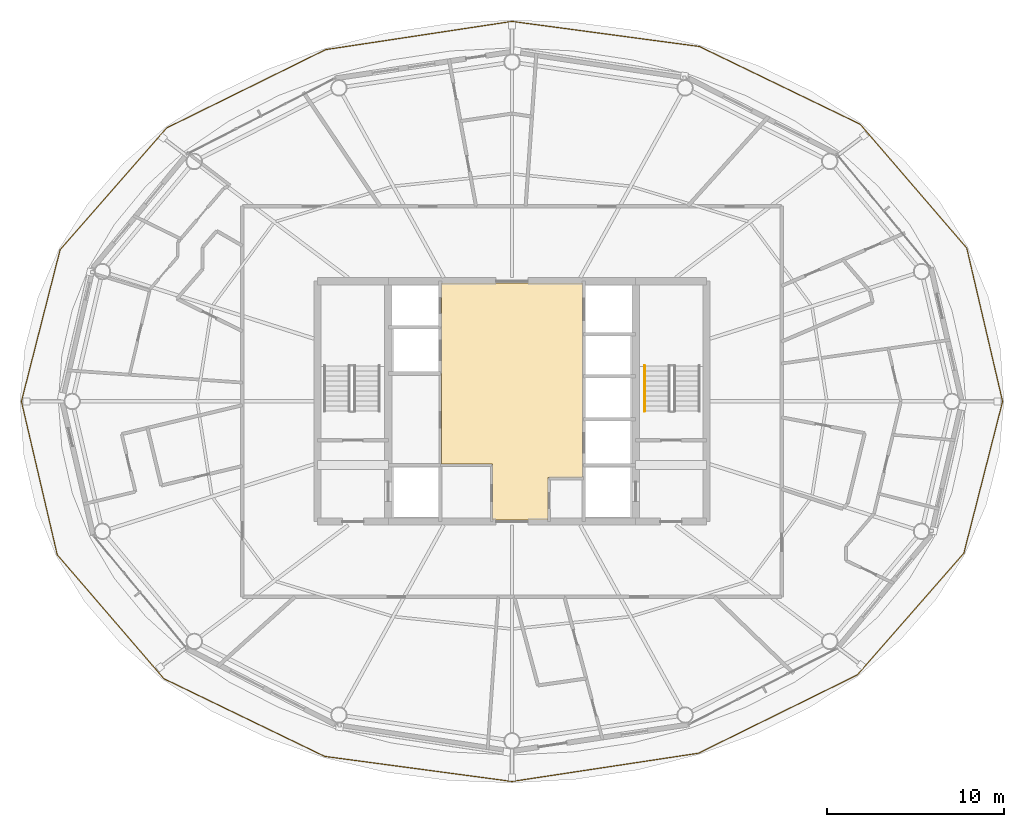
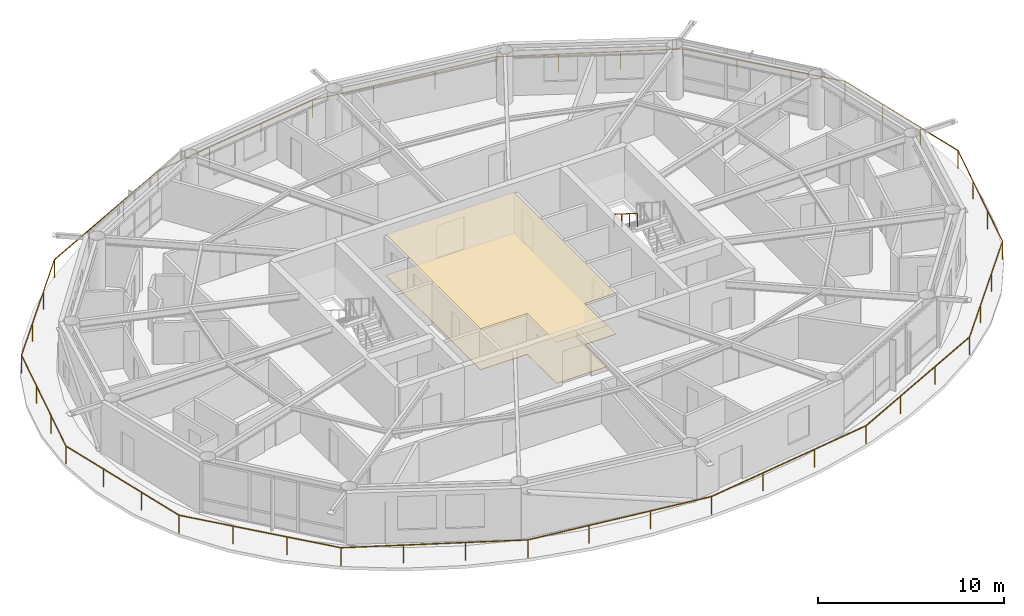
# One storey, part 21 of 22: 2 coverings, 2 railings.
"""IFC4 building model written with IfcOpenShell, lengths in metres."""

from ifc_helpers import new_model, si_unit, direction, frame, origin, origin_2d, place, context, subcontext, project, spatial, polyline, rectangle, outline, extrude, material, layer, layer_set, type_object, element, save


model = new_model("IFC4")

# Units and contexts
model_context = context("Model", 3, precision=1e-05, world=origin(), true_north=direction((0.0, 1.0)))
body_context = subcontext(model_context, "Body", "Model", "MODEL_VIEW")
ifc_project = project(units=[si_unit("LENGTHUNIT", "METRE"), si_unit("AREAUNIT", "SQUARE_METRE"), si_unit("VOLUMEUNIT", "CUBIC_METRE"), si_unit("PLANEANGLEUNIT", "RADIAN"), si_unit("MASSUNIT", "GRAM", prefix="KILO")], contexts=[model_context])

# Site, building, storey
site_placement = place(None, origin())
site = spatial("IfcSite", under=ifc_project, at=site_placement, CompositionType="ELEMENT")
building_placement = place(site_placement, origin())
building = spatial("IfcBuilding", under=site, at=building_placement, Name="Sarneth Arch Tower", CompositionType="ELEMENT")
storey_placement = place(building_placement, frame((0.0, 0.0, 210.0)))
storey = spatial("IfcBuildingStorey", under=building, at=storey_placement, Name="L53", CompositionType="ELEMENT", Elevation=210.0)

# Coverings
ifc_material_1 = material(Name="Perforated acoustic gypsum ceiling board")
ifc_layer_1 = layer(ifc_material_1, 0.02490234375)
ifc_layer_set_1 = layer_set([ifc_layer_1], Name="Perforated acoustic gypsum ceiling board")
covering_type_1 = type_object("IfcCoveringType", Name="COV-CEIL-GYP", PredefinedType="CEILING", material=ifc_layer_set_1)
covering_1_placement = place(storey_placement, frame((0.0, 0.0, 2.68994140625)))
element("IfcCovering", 1, at=covering_1_placement, inside=storey, type_object=covering_type_1, Name="L53 Lift lobby acoustic ceiling", PredefinedType="CEILING", context=body_context, shape_type="SweptSolid", body=[
    extrude(outline(polyline([(52.0, 37.699951171875), (50.050048828125, 37.699951171875), (50.050048828125, 35.300048828125), (46.89990234375, 35.300048828125), (46.89990234375, 38.449951171875), (44.0, 38.449951171875), (44.0, 48.699951171875), (52.0, 48.699951171875), (52.0, 37.699951171875)])), origin(), (0.0, 0.0, 1.0), 0.030029296875),
])
ifc_material_2 = material(Name="Honed granite stone flooring", Category="masonry")
ifc_layer_2 = layer(ifc_material_2, 0.030029296875)
ifc_layer_set_2 = layer_set([ifc_layer_2], Name="Honed granite stone flooring")
covering_type_2 = type_object("IfcCoveringType", Name="COV-FLR-STONE", PredefinedType="FLOORING", material=ifc_layer_set_2)
covering_2_placement = place(storey_placement, origin())
element("IfcCovering", 2, at=covering_2_placement, inside=storey, type_object=covering_type_2, Name="L53 Lift lobby granite flooring", PredefinedType="FLOORING", context=body_context, shape_type="SweptSolid", body=[
    extrude(outline(polyline([(52.0, 37.699951171875), (50.050048828125, 37.699951171875), (50.050048828125, 35.300048828125), (46.89990234375, 35.300048828125), (46.89990234375, 38.449951171875), (44.0, 38.449951171875), (44.0, 48.699951171875), (52.0, 48.699951171875), (52.0, 37.699951171875)])), origin(), (0.0, 0.0, 1.0), 0.030029296875),
])

# Railings
ifc_material_3 = material(Name="Laminated structural glass infill with Stainless Steel 316 top rail and posts", Category="steel")
railing_type_1 = type_object("IfcRailingType", Name="RAIL-BALC-1200", PredefinedType="BALUSTRADE", material=ifc_material_3)
railing_1_placement = place(storey_placement, frame((75.752685546875, 42.0, 0.0)))
element("IfcRailing", 3, at=railing_1_placement, inside=storey, type_object=railing_type_1, Name="L53 Helical balcony glass balustrade", PredefinedType="BALUSTRADE", context=body_context, shape_type="SweptSolid", body=[
    extrude(rectangle(XDim=0.048095703125, YDim=0.048095703125, at=origin_2d()), frame((0.0, 0.0, 1.17578125), z_axis=(-0.227562221153, 0.973763541885, 0.0), x_axis=(-0.973763541885, -0.227562221153, 0.0)), (0.0, 0.0, 1.0), 8.91015625),
    extrude(rectangle(XDim=0.048095703125, YDim=0.048095703125, at=origin_2d()), frame((-2.027587890625, 8.67626953125, 1.17578125), z_axis=(-0.652319204674, 0.757944361555, 0.0), x_axis=(-0.757944361555, -0.652319204674, 0.0)), (0.0, 0.0, 1.0), 9.2431640625),
    extrude(rectangle(XDim=0.048095703125, YDim=0.048095703125, at=origin_2d()), frame((-8.05712890625, 15.68212890625, 1.17578125), z_axis=(-0.900334908719, 0.43519771615, 0.0), x_axis=(-0.43519771615, -0.900334908719, 0.0)), (0.0, 0.0, 1.0), 10.103271484375),
    extrude(rectangle(XDim=0.048095703125, YDim=0.048095703125, at=origin_2d()), frame((-17.153564453125, 20.0791015625, 1.17578125), z_axis=(-0.991157574978, 0.132690095955, 0.0), x_axis=(-0.132690095955, -0.991157574978, 0.0)), (0.0, 0.0, 1.0), 10.693603515625),
    extrude(rectangle(XDim=0.048095703125, YDim=0.048095703125, at=origin_2d()), frame((-27.752685546875, 21.498046875, 1.17578125), z_axis=(-0.988719511519, -0.149778928896, 0.0), x_axis=(0.149778928896, -0.988719511519, 0.0)), (0.0, 0.0, 1.0), 10.66357421875),
    extrude(rectangle(XDim=0.048095703125, YDim=0.048095703125, at=origin_2d()), frame((-38.2958984375, 19.90087890625, 1.17578125), z_axis=(-0.897075490453, -0.441877318301, 0.0), x_axis=(0.441877318301, -0.897075490453, 0.0)), (0.0, 0.0, 1.0), 10.025146484375),
    extrude(rectangle(XDim=0.048095703125, YDim=0.048095703125, at=origin_2d()), frame((-47.289306640625, 15.470947265625, 1.17578125), z_axis=(-0.658527275998, -0.752556859491, 0.0), x_axis=(0.752556859491, -0.658527275998, 0.0)), (0.0, 0.0, 1.0), 9.14990234375),
    extrude(rectangle(XDim=0.048095703125, YDim=0.048095703125, at=origin_2d()), frame((-53.314697265625, 8.585205078125, 1.17578125), z_axis=(-0.247246196518, -0.96895269147, 0.0), x_axis=(0.96895269147, -0.247246196518, 0.0)), (0.0, 0.0, 1.0), 8.8603515625),
    extrude(rectangle(XDim=0.048095703125, YDim=0.048095703125, at=origin_2d()), frame((-55.50537109375, 0.0, 1.17578125), z_axis=(0.227562221153, -0.973763541885, 0.0), x_axis=(0.973763541885, 0.227562221153, 0.0)), (0.0, 0.0, 1.0), 8.91015625),
    extrude(rectangle(XDim=0.048095703125, YDim=0.048095703125, at=origin_2d()), frame((-53.477783203125, -8.67626953125, 1.17578125), z_axis=(0.652319204674, -0.757944361555, 0.0), x_axis=(0.757944361555, 0.652319204674, 0.0)), (0.0, 0.0, 1.0), 9.2431640625),
    extrude(rectangle(XDim=0.048095703125, YDim=0.048095703125, at=origin_2d()), frame((-47.4482421875, -15.68212890625, 1.17578125), z_axis=(0.900334908719, -0.43519771615, 0.0), x_axis=(0.43519771615, 0.900334908719, 0.0)), (0.0, 0.0, 1.0), 10.103271484375),
    extrude(rectangle(XDim=0.048095703125, YDim=0.048095703125, at=origin_2d()), frame((-38.351806640625, -20.0791015625, 1.17578125), z_axis=(0.991157574978, -0.132690095955, 0.0), x_axis=(0.132690095955, 0.991157574978, 0.0)), (0.0, 0.0, 1.0), 10.693603515625),
    extrude(rectangle(XDim=0.048095703125, YDim=0.048095703125, at=origin_2d()), frame((-27.752685546875, -21.498046875, 1.17578125), z_axis=(0.988719511519, 0.149778928896, 0.0), x_axis=(-0.149778928896, 0.988719511519, 0.0)), (0.0, 0.0, 1.0), 10.66357421875),
    extrude(rectangle(XDim=0.048095703125, YDim=0.048095703125, at=origin_2d()), frame((-17.20947265625, -19.90087890625, 1.17578125), z_axis=(0.897075490453, 0.441877318301, 0.0), x_axis=(-0.441877318301, 0.897075490453, 0.0)), (0.0, 0.0, 1.0), 10.025146484375),
    extrude(rectangle(XDim=0.048095703125, YDim=0.048095703125, at=origin_2d()), frame((-8.216064453125, -15.470947265625, 1.17578125), z_axis=(0.658527275998, 0.752556859491, 0.0), x_axis=(-0.752556859491, 0.658527275998, 0.0)), (0.0, 0.0, 1.0), 9.14990234375),
    extrude(rectangle(XDim=0.048095703125, YDim=0.048095703125, at=origin_2d()), frame((-2.190673828125, -8.585205078125, 1.17578125), z_axis=(0.247246196518, 0.96895269147, 0.0), x_axis=(-0.96895269147, 0.247246196518, 0.0)), (0.0, 0.0, 1.0), 8.8603515625),
    extrude(rectangle(XDim=0.0419921875, YDim=0.0419921875, at=origin_2d()), origin(), (0.0, 0.0, 1.0), 1.15185546875),
    extrude(rectangle(XDim=0.0419921875, YDim=0.0419921875, at=origin_2d()), frame((-0.67578125, 2.89208984375, 0.0)), (0.0, 0.0, 1.0), 1.15185546875),
    extrude(rectangle(XDim=0.0419921875, YDim=0.0419921875, at=origin_2d()), frame((-1.351806640625, 5.7841796875, 0.0)), (0.0, 0.0, 1.0), 1.15185546875),
    extrude(rectangle(XDim=0.0419921875, YDim=0.0419921875, at=origin_2d()), frame((-2.027587890625, 8.67626953125, 0.0)), (0.0, 0.0, 1.0), 1.15185546875),
    extrude(rectangle(XDim=0.0419921875, YDim=0.0419921875, at=origin_2d()), frame((-4.037353515625, 11.011474609375, 0.0)), (0.0, 0.0, 1.0), 1.15185546875),
    extrude(rectangle(XDim=0.0419921875, YDim=0.0419921875, at=origin_2d()), frame((-6.04736328125, 13.346923828125, 0.0)), (0.0, 0.0, 1.0), 1.15185546875),
    extrude(rectangle(XDim=0.0419921875, YDim=0.0419921875, at=origin_2d()), frame((-8.05712890625, 15.68212890625, 0.0)), (0.0, 0.0, 1.0), 1.15185546875),
    extrude(rectangle(XDim=0.0419921875, YDim=0.0419921875, at=origin_2d()), frame((-11.08935546875, 17.147705078125, 0.0)), (0.0, 0.0, 1.0), 1.15185546875),
    extrude(rectangle(XDim=0.0419921875, YDim=0.0419921875, at=origin_2d()), frame((-14.121337890625, 18.613525390625, 0.0)), (0.0, 0.0, 1.0), 1.15185546875),
    extrude(rectangle(XDim=0.0419921875, YDim=0.0419921875, at=origin_2d()), frame((-17.153564453125, 20.0791015625, 0.0)), (0.0, 0.0, 1.0), 1.15185546875),
    extrude(rectangle(XDim=0.0419921875, YDim=0.0419921875, at=origin_2d()), frame((-20.6865234375, 20.552001953125, 0.0)), (0.0, 0.0, 1.0), 1.15185546875),
    extrude(rectangle(XDim=0.0419921875, YDim=0.0419921875, at=origin_2d()), frame((-24.2197265625, 21.025146484375, 0.0)), (0.0, 0.0, 1.0), 1.15185546875),
    extrude(rectangle(XDim=0.0419921875, YDim=0.0419921875, at=origin_2d()), frame((-27.752685546875, 21.498046875, 0.0)), (0.0, 0.0, 1.0), 1.15185546875),
    extrude(rectangle(XDim=0.0419921875, YDim=0.0419921875, at=origin_2d()), frame((-31.26708984375, 20.965576171875, 0.0)), (0.0, 0.0, 1.0), 1.15185546875),
    extrude(rectangle(XDim=0.0419921875, YDim=0.0419921875, at=origin_2d()), frame((-34.781494140625, 20.433349609375, 0.0)), (0.0, 0.0, 1.0), 1.15185546875),
    extrude(rectangle(XDim=0.0419921875, YDim=0.0419921875, at=origin_2d()), frame((-38.2958984375, 19.90087890625, 0.0)), (0.0, 0.0, 1.0), 1.15185546875),
    extrude(rectangle(XDim=0.0419921875, YDim=0.0419921875, at=origin_2d()), frame((-41.293701171875, 18.42431640625, 0.0)), (0.0, 0.0, 1.0), 1.15185546875),
    extrude(rectangle(XDim=0.0419921875, YDim=0.0419921875, at=origin_2d()), frame((-44.29150390625, 16.947509765625, 0.0)), (0.0, 0.0, 1.0), 1.15185546875),
    extrude(rectangle(XDim=0.0419921875, YDim=0.0419921875, at=origin_2d()), frame((-47.289306640625, 15.470947265625, 0.0)), (0.0, 0.0, 1.0), 1.15185546875),
    extrude(rectangle(XDim=0.0419921875, YDim=0.0419921875, at=origin_2d()), frame((-49.2978515625, 13.17578125, 0.0)), (0.0, 0.0, 1.0), 1.15185546875),
    extrude(rectangle(XDim=0.0419921875, YDim=0.0419921875, at=origin_2d()), frame((-51.30615234375, 10.88037109375, 0.0)), (0.0, 0.0, 1.0), 1.15185546875),
    extrude(rectangle(XDim=0.0419921875, YDim=0.0419921875, at=origin_2d()), frame((-53.314697265625, 8.585205078125, 0.0)), (0.0, 0.0, 1.0), 1.15185546875),
    extrude(rectangle(XDim=0.0419921875, YDim=0.0419921875, at=origin_2d()), frame((-54.044921875, 5.723388671875, 0.0)), (0.0, 0.0, 1.0), 1.15185546875),
    extrude(rectangle(XDim=0.0419921875, YDim=0.0419921875, at=origin_2d()), frame((-54.775146484375, 2.86181640625, 0.0)), (0.0, 0.0, 1.0), 1.15185546875),
    extrude(rectangle(XDim=0.0419921875, YDim=0.0419921875, at=origin_2d()), frame((-55.50537109375, 0.0, 0.0)), (0.0, 0.0, 1.0), 1.15185546875),
    extrude(rectangle(XDim=0.0419921875, YDim=0.0419921875, at=origin_2d()), frame((-54.82958984375, -2.89208984375, 0.0)), (0.0, 0.0, 1.0), 1.15185546875),
    extrude(rectangle(XDim=0.0419921875, YDim=0.0419921875, at=origin_2d()), frame((-54.153564453125, -5.7841796875, 0.0)), (0.0, 0.0, 1.0), 1.15185546875),
    extrude(rectangle(XDim=0.0419921875, YDim=0.0419921875, at=origin_2d()), frame((-53.477783203125, -8.67626953125, 0.0)), (0.0, 0.0, 1.0), 1.15185546875),
    extrude(rectangle(XDim=0.0419921875, YDim=0.0419921875, at=origin_2d()), frame((-51.468017578125, -11.011474609375, 0.0)), (0.0, 0.0, 1.0), 1.15185546875),
    extrude(rectangle(XDim=0.0419921875, YDim=0.0419921875, at=origin_2d()), frame((-49.4580078125, -13.346923828125, 0.0)), (0.0, 0.0, 1.0), 1.15185546875),
    extrude(rectangle(XDim=0.0419921875, YDim=0.0419921875, at=origin_2d()), frame((-47.4482421875, -15.68212890625, 0.0)), (0.0, 0.0, 1.0), 1.15185546875),
    extrude(rectangle(XDim=0.0419921875, YDim=0.0419921875, at=origin_2d()), frame((-44.416015625, -17.147705078125, 0.0)), (0.0, 0.0, 1.0), 1.15185546875),
    extrude(rectangle(XDim=0.0419921875, YDim=0.0419921875, at=origin_2d()), frame((-41.384033203125, -18.613525390625, 0.0)), (0.0, 0.0, 1.0), 1.15185546875),
    extrude(rectangle(XDim=0.0419921875, YDim=0.0419921875, at=origin_2d()), frame((-38.351806640625, -20.0791015625, 0.0)), (0.0, 0.0, 1.0), 1.15185546875),
    extrude(rectangle(XDim=0.0419921875, YDim=0.0419921875, at=origin_2d()), frame((-34.81884765625, -20.552001953125, 0.0)), (0.0, 0.0, 1.0), 1.15185546875),
    extrude(rectangle(XDim=0.0419921875, YDim=0.0419921875, at=origin_2d()), frame((-31.28564453125, -21.025146484375, 0.0)), (0.0, 0.0, 1.0), 1.15185546875),
    extrude(rectangle(XDim=0.0419921875, YDim=0.0419921875, at=origin_2d()), frame((-27.752685546875, -21.498046875, 0.0)), (0.0, 0.0, 1.0), 1.15185546875),
    extrude(rectangle(XDim=0.0419921875, YDim=0.0419921875, at=origin_2d()), frame((-24.23828125, -20.965576171875, 0.0)), (0.0, 0.0, 1.0), 1.15185546875),
    extrude(rectangle(XDim=0.0419921875, YDim=0.0419921875, at=origin_2d()), frame((-20.723876953125, -20.433349609375, 0.0)), (0.0, 0.0, 1.0), 1.15185546875),
    extrude(rectangle(XDim=0.0419921875, YDim=0.0419921875, at=origin_2d()), frame((-17.20947265625, -19.90087890625, 0.0)), (0.0, 0.0, 1.0), 1.15185546875),
    extrude(rectangle(XDim=0.0419921875, YDim=0.0419921875, at=origin_2d()), frame((-14.211669921875, -18.42431640625, 0.0)), (0.0, 0.0, 1.0), 1.15185546875),
    extrude(rectangle(XDim=0.0419921875, YDim=0.0419921875, at=origin_2d()), frame((-11.2138671875, -16.947509765625, 0.0)), (0.0, 0.0, 1.0), 1.15185546875),
    extrude(rectangle(XDim=0.0419921875, YDim=0.0419921875, at=origin_2d()), frame((-8.216064453125, -15.470947265625, 0.0)), (0.0, 0.0, 1.0), 1.15185546875),
    extrude(rectangle(XDim=0.0419921875, YDim=0.0419921875, at=origin_2d()), frame((-6.20751953125, -13.17578125, 0.0)), (0.0, 0.0, 1.0), 1.15185546875),
    extrude(rectangle(XDim=0.0419921875, YDim=0.0419921875, at=origin_2d()), frame((-4.19921875, -10.88037109375, 0.0)), (0.0, 0.0, 1.0), 1.15185546875),
    extrude(rectangle(XDim=0.0419921875, YDim=0.0419921875, at=origin_2d()), frame((-2.190673828125, -8.585205078125, 0.0)), (0.0, 0.0, 1.0), 1.15185546875),
    extrude(rectangle(XDim=0.0419921875, YDim=0.0419921875, at=origin_2d()), frame((-1.46044921875, -5.723388671875, 0.0)), (0.0, 0.0, 1.0), 1.15185546875),
    extrude(rectangle(XDim=0.0419921875, YDim=0.0419921875, at=origin_2d()), frame((-0.730224609375, -2.86181640625, 0.0)), (0.0, 0.0, 1.0), 1.15185546875),
])
ifc_material_4 = material(Name="Brushed Stainless Steel 304 tubular handrail", Category="steel")
railing_type_2 = type_object("IfcRailingType", Name="RAIL-HANDRAIL-900", PredefinedType="HANDRAIL", material=ifc_material_4)
railing_2_placement = place(storey_placement, frame((55.5, 44.014892578125, 1.97998046875)))
element("IfcRailing", 4, at=railing_2_placement, inside=storey, type_object=railing_type_2, Name="L53 ST-2 stair handrail 2", PredefinedType="HANDRAIL", context=body_context, shape_type="SweptSolid", body=[
    extrude(rectangle(XDim=0.048095703125, YDim=0.048095703125, at=origin_2d()), frame((0.0, 0.0, 0.8759765625), z_axis=(0.0, -0.845465955043, 0.534029323973), x_axis=(1.0, 0.0, 0.0)), (0.0, 0.0, 1.0), 3.03369140625),
    extrude(rectangle(XDim=0.0419921875, YDim=0.0419921875, at=origin_2d()), origin(), (0.0, 0.0, 1.0), 0.851806640625),
    extrude(rectangle(XDim=0.0419921875, YDim=0.0419921875, at=origin_2d()), frame((0.0, -0.85498046875, 0.5400390625)), (0.0, 0.0, 1.0), 0.851806640625),
    extrude(rectangle(XDim=0.0419921875, YDim=0.0419921875, at=origin_2d()), frame((0.0, -1.7099609375, 1.080078125)), (0.0, 0.0, 1.0), 0.851806640625),
    extrude(rectangle(XDim=0.0419921875, YDim=0.0419921875, at=origin_2d()), frame((0.0, -2.56494140625, 1.6201171875)), (0.0, 0.0, 1.0), 0.851806640625),
])

save(model, "model.ifc")
